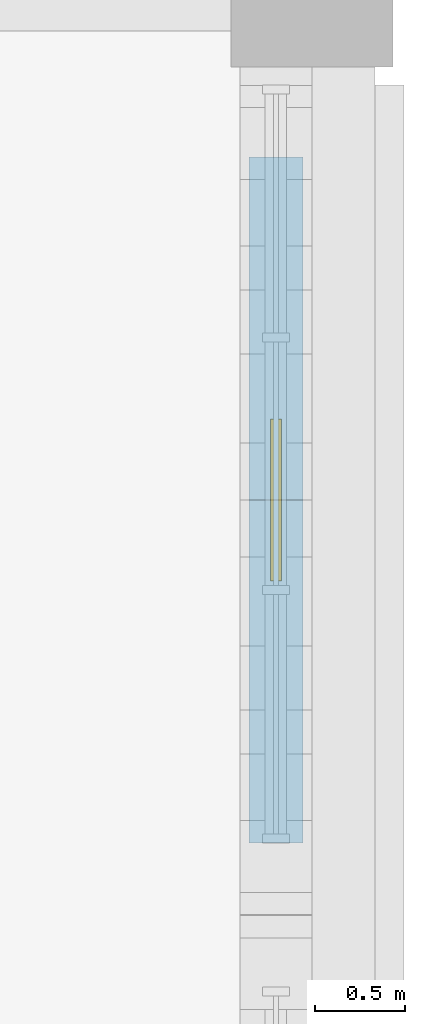
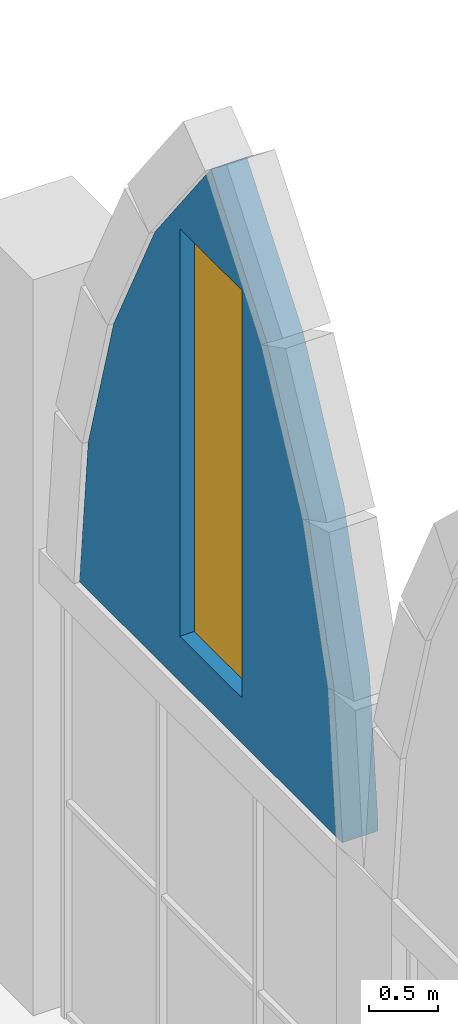
# One storey, part 76 of 130: 1 wall, 1 window, 1 opening.
"""IFC4 building model written with IfcOpenShell, lengths in metres."""

from ifc_helpers import new_model, si_unit, direction, frame, frame_2d, origin, place, context, subcontext, project, spatial, polyline, rectangle, outline, extrude, material, layer, layer_set, type_object, element, fill, save


model = new_model("IFC4")

# Units and contexts
model_context = context("Model", 3, precision=1e-05, world=origin(), true_north=direction((0.0, 1.0)))
body_context = subcontext(model_context, "Body", "Model", "MODEL_VIEW")
ifc_project = project(units=[si_unit("LENGTHUNIT", "METRE"), si_unit("AREAUNIT", "SQUARE_METRE"), si_unit("VOLUMEUNIT", "CUBIC_METRE"), si_unit("PLANEANGLEUNIT", "RADIAN"), si_unit("MASSUNIT", "GRAM", prefix="KILO")], contexts=[model_context])

# Site, building, storey
site_placement = place(None, origin())
site = spatial("IfcSite", under=ifc_project, at=site_placement, CompositionType="ELEMENT")
building_placement = place(site_placement, origin())
building = spatial("IfcBuilding", under=site, at=building_placement, Name="Ogive Plaza Stadium", CompositionType="ELEMENT")
storey_placement = place(building_placement, frame((0.0, 0.0, 22.5)))
storey = spatial("IfcBuildingStorey", under=building, at=storey_placement, Name="L05", CompositionType="ELEMENT", Elevation=22.5)

# Wall, opening, window
ifc_material_1 = material(Name="Concrete C45/55 precast", Category="concrete")
ifc_layer_1 = layer(ifc_material_1, 0.25)
ifc_material_2 = material(Name="Cast stone (reconstituted limestone)", Category="masonry")
ifc_layer_2 = layer(ifc_material_2, 0.050048828125)
ifc_layer_set = layer_set([ifc_layer_1, ifc_layer_2], Name="Concrete C45/55 precast, cast stone facing")
wall_type = type_object("IfcWallType", Name="Tympanum wall 300", PredefinedType="SOLIDWALL", material=ifc_layer_set)
wall_placement = place(storey_placement, frame((83.800048828125, 21.5, 4.10009765625), z_axis=(0.0, 0.0, 1.0), x_axis=(0.0, -1.0, 0.0)))
wall = element("IfcWall", 1, at=wall_placement, inside=storey, type_object=wall_type, Name="TYMPANUM B03 1", PredefinedType="SOLIDWALL", context=body_context, shape_type="SweptSolid", body=[
    extrude(outline(polyline([(0.0, 0.0), (3.800048828125, 0.0), (3.800048828125, 0.0498046875), (3.67578125, 1.313720703125), (3.3076171875, 2.5810546875), (2.708740234375, 3.757080078125), (1.89990234375, 4.7998046875), (1.09130859375, 3.757080078125), (0.4921875, 2.5810546875), (0.124267578125, 1.313720703125), (0.0, 0.0498046875), (0.0, 0.0)])), frame((0.0, 0.14990234375, 0.0), z_axis=(0.0, -1.0, 0.0), x_axis=(1.0, 0.0, 0.0)), (0.0, 0.0, 1.0), 0.300048828125),
])
opening_placement = place(wall_placement, frame((1.449951171875, 0.0, 0.39990234375)))
opening = element("IfcOpeningElement", 2, at=opening_placement, cuts=wall, Name="Opening W-03-1", PredefinedType="OPENING", context=body_context, shape_type="SweptSolid", body=[
    extrude(rectangle(XDim=0.89990234375, YDim=3.60009765625, at=frame_2d((0.449951171875, 1.800048828125))), frame((0.0, 0.16015625, 0.0), z_axis=(0.0, -1.0, 0.0), x_axis=(1.0, 0.0, 0.0)), (0.0, 0.0, 1.0), 0.320068359375),
])
ifc_material_3 = material(Name="Bronze-anodised aluminium and laminated glass", Category="aluminium")
window_type = type_object("IfcWindowType", Name="Lancet window 900 x 3600", PartitioningType="SINGLE_PANEL", PredefinedType="WINDOW", material=ifc_material_3)
window_placement = place(opening_placement, origin())
window = element("IfcWindow", 3, at=window_placement, inside=storey, type_object=window_type, Name="LANCET WINDOW B03 1", OverallHeight=3.60009765625, OverallWidth=0.89990234375, PartitioningType="SINGLE_PANEL", PredefinedType="WINDOW", context=body_context, shape_type="SweptSolid", body=[
    extrude(rectangle(XDim=0.89990234375, YDim=3.60009765625, at=frame_2d((0.449951171875, 1.800048828125))), frame((0.0, 0.030029296875, 0.0), z_axis=(0.0, -1.0, 0.0), x_axis=(1.0, 0.0, 0.0)), (0.0, 0.0, 1.0), 0.06005859375),
])
fill(opening, window)

save(model, "model.ifc")
